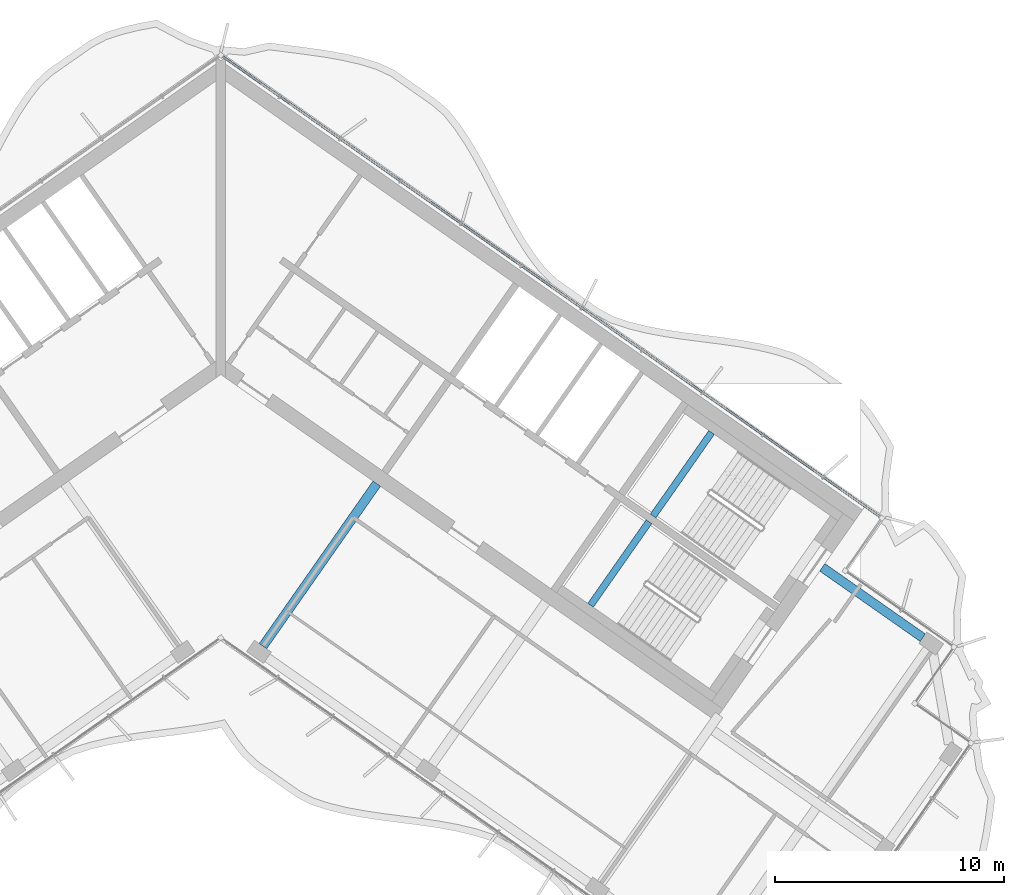
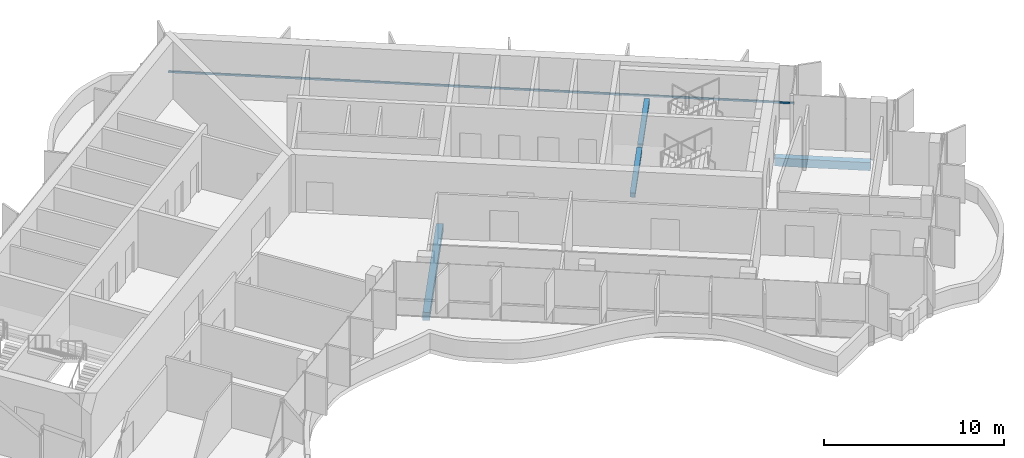
# One storey, part 5 of 20: 4 beams, 1 member, 1 element without a shape of its own.
"""IFC4 building model written with IfcOpenShell, lengths in metres."""

from ifc_helpers import new_model, si_unit, direction, frame, origin, origin_2d, place, context, subcontext, project, spatial, rectangle, extrude, material, material_profile, profile_set, type_object, element, aggregate, save


model = new_model("IFC4")

# Units and contexts
model_context = context("Model", 3, precision=1e-05, world=origin(), true_north=direction((0.0, 1.0)))
body_context = subcontext(model_context, "Body", "Model", "MODEL_VIEW")
ifc_project = project(units=[si_unit("LENGTHUNIT", "METRE"), si_unit("AREAUNIT", "SQUARE_METRE"), si_unit("VOLUMEUNIT", "CUBIC_METRE"), si_unit("PLANEANGLEUNIT", "RADIAN"), si_unit("MASSUNIT", "GRAM", prefix="KILO")], contexts=[model_context])

# Site, building, storey
site_placement = place(None, origin())
site = spatial("IfcSite", under=ifc_project, at=site_placement, CompositionType="ELEMENT")
building_placement = place(site_placement, origin())
building = spatial("IfcBuilding", under=site, at=building_placement, Name="Tel Ilan Convention Tower", CompositionType="ELEMENT")
storey_placement = place(building_placement, frame((0.0, 0.0, 229.300048828125)))
storey = spatial("IfcBuildingStorey", under=building, at=storey_placement, Name="L53", CompositionType="ELEMENT", Elevation=229.300048828125)

# Beams
ifc_material_1 = material(Name="Concrete C40/50", Category="concrete")
ifc_material_profile_1 = material_profile(ifc_material_1, rectangle(XDim=0.39990234375, YDim=0.550048828125, at=origin_2d()), Name="RC 400x550")
ifc_profile_set_1 = profile_set([ifc_material_profile_1], Name="Concrete C40/50")
beam_type_1 = type_object("IfcBeamType", Name="Beam RC 400x550 Concrete C40/50", PredefinedType="BEAM", material=ifc_profile_set_1)
beam_1_placement = place(storey_placement, frame((30.6005859375, -12.6982421875, -0.554931640625), z_axis=(-0.819146154531, 0.573584847705, 0.0), x_axis=(-0.573584847705, -0.819146154531, 0.0)))
element("IfcBeam", 1, at=beam_1_placement, inside=storey, type_object=beam_type_1, Name="L53 beam E-E-BC-core", PredefinedType="BEAM", context=body_context, shape_type="SweptSolid", body=[
    extrude(rectangle(XDim=0.39990234375, YDim=0.550048828125, at=origin_2d()), origin(), (0.0, 0.0, 1.0), 5.349853515625),
])
beam_2_placement = place(storey_placement, frame((1.83740234375, -13.06689453125, -0.554931640625), z_axis=(0.573574099654, 0.819153680457, 0.0), x_axis=(-0.819153680457, 0.573574099654, 0.0)))
element("IfcBeam", 2, at=beam_2_placement, inside=storey, type_object=beam_type_1, Name="L53 beam E-E-F1-core", PredefinedType="BEAM", context=body_context, shape_type="SweptSolid", body=[
    extrude(rectangle(XDim=0.39990234375, YDim=0.550048828125, at=origin_2d()), origin(), (0.0, 0.0, 1.0), 8.64990234375),
])

# Curtain wall, member
ifc_material_2 = material(Name="Aluminium, bronze anodised", Category="aluminium")
curtain_wall_type = type_object("IfcCurtainWallType", Name="CW2 STICK CURTAIN WALL, SPANDREL PANELS", PredefinedType="NOTDEFINED", material=ifc_material_2)
curtain_wall_placement = place(storey_placement, origin())
curtain_wall = element("IfcCurtainWall", 3, at=curtain_wall_placement, inside=storey, type_object=curtain_wall_type, Name="Curtain wall CW2-42.01", PredefinedType="NOTDEFINED")
ifc_material_3 = material(Name="Aluminium, bronze anodised", Category="aluminium")
ifc_material_profile_2 = material_profile(ifc_material_3, rectangle(XDim=0.10009765625, YDim=0.1201171875, at=origin_2d()), Name="CW TRANSOM 100x120")
ifc_profile_set_2 = profile_set([ifc_material_profile_2], Name="Aluminium, bronze anodised")
member_type = type_object("IfcMemberType", Name="CW TRANSOM 100x120", PredefinedType="USERDEFINED", material=ifc_profile_set_2)
member_placement = place(storey_placement, frame((28.737548828125, -7.42626953125, 1.099853515625), z_axis=(-0.819150201937, 0.573579067494, 0.0), x_axis=(-0.573579067494, -0.819150201937, 0.0)))
member = element("IfcMember", 4, at=member_placement, type_object=member_type, Name="Transom", ObjectType="TRANSOM", PredefinedType="USERDEFINED", context=body_context, shape_type="SweptSolid", body=[
    extrude(rectangle(XDim=0.10009765625, YDim=0.1201171875, at=origin_2d()), origin(), (0.0, 0.0, 1.0), 34.9521484375),
])
aggregate(curtain_wall, [member])

# Beams
ifc_material_4 = material(Name="Concrete C40/50", Category="concrete")
ifc_material_profile_3 = material_profile(ifc_material_4, rectangle(XDim=0.300048828125, YDim=0.300048828125, at=origin_2d()), Name="RC 300x300")
ifc_profile_set_3 = profile_set([ifc_material_profile_3], Name="Concrete C40/50")
beam_type_2 = type_object("IfcBeamType", Name="Landing Beam RC 300x300 Concrete C40/50", PredefinedType="BEAM", material=ifc_profile_set_3)
beam_3_placement = place(storey_placement, frame((21.39404296875, -3.7490234375, 1.599853515625), z_axis=(-0.573547030514, -0.819172633691, 0.0), x_axis=(0.819172633691, -0.573547030514, 0.0)))
element("IfcBeam", 5, at=beam_3_placement, inside=storey, type_object=beam_type_2, Name="S3 landing beam L53.1", PredefinedType="BEAM", context=body_context, shape_type="SweptSolid", body=[
    extrude(rectangle(XDim=0.300048828125, YDim=0.300048828125, at=origin_2d()), origin(), (0.0, 0.0, 1.0), 4.449951171875),
])
beam_4_placement = place(storey_placement, frame((18.669677734375, -7.64013671875, 1.599853515625), z_axis=(-0.573583844845, -0.819146856756, 0.0), x_axis=(0.819146856756, -0.573583844845, 0.0)))
element("IfcBeam", 6, at=beam_4_placement, inside=storey, type_object=beam_type_2, Name="S4 landing beam L53.1", PredefinedType="BEAM", context=body_context, shape_type="SweptSolid", body=[
    extrude(rectangle(XDim=0.300048828125, YDim=0.300048828125, at=origin_2d()), origin(), (0.0, 0.0, 1.0), 4.4501953125),
])

save(model, "model.ifc")
